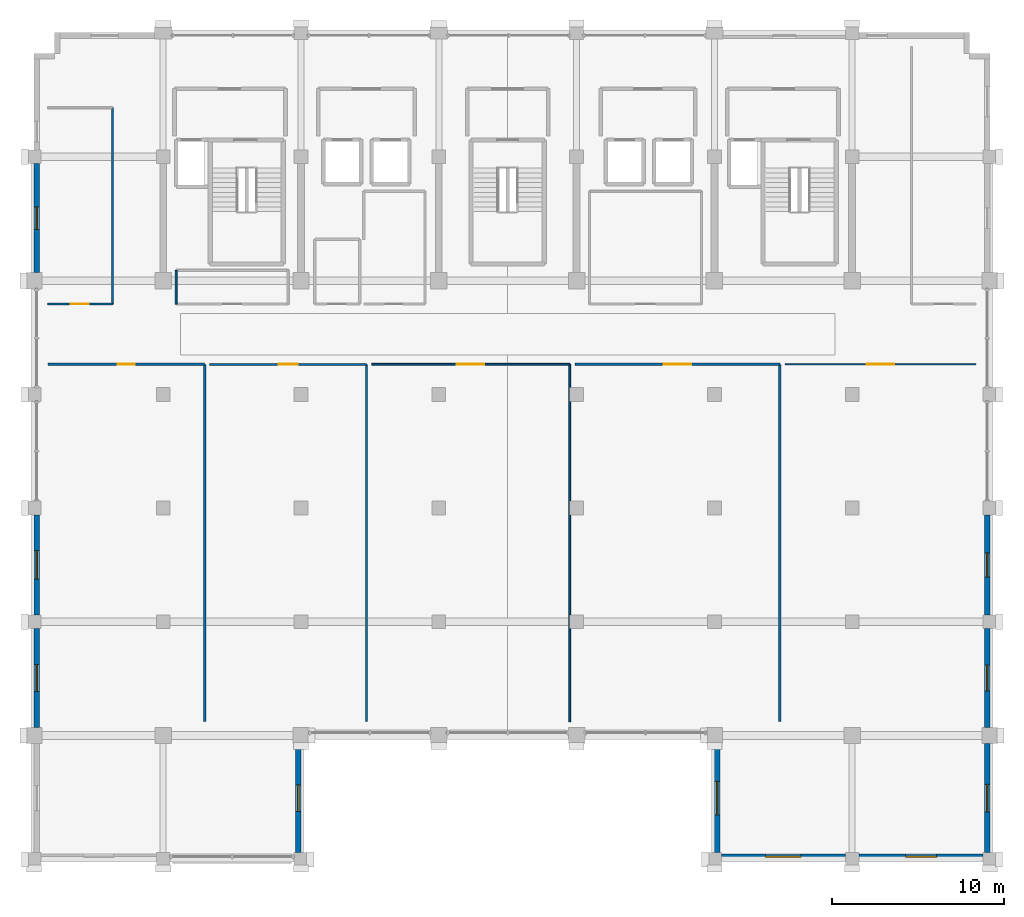
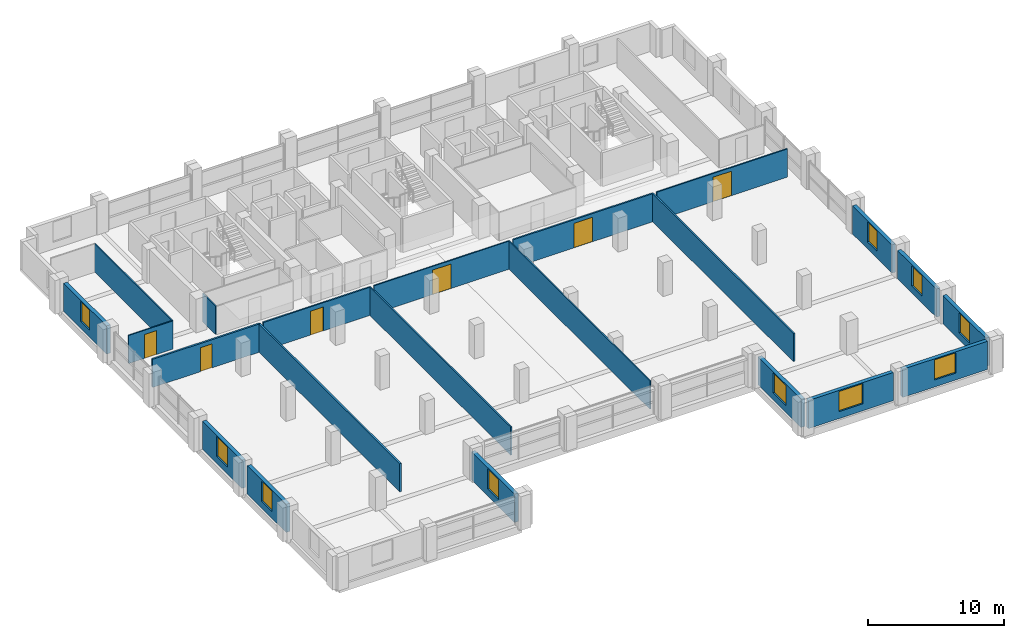
# One storey, part 19 of 23: 22 walls, 10 windows, 6 doors, 16 openings.
"""IFC4 building model written with IfcOpenShell, lengths in metres."""

from ifc_helpers import new_model, si_unit, direction, frame, frame_2d, origin, place, context, subcontext, project, spatial, rectangle, extrude, material, layer, layer_set, type_object, element, fill, save


model = new_model("IFC4")

# Units and contexts
model_context = context("Model", 3, precision=1e-05, world=origin(), true_north=direction((0.0, 1.0)))
body_context = subcontext(model_context, "Body", "Model", "MODEL_VIEW")
ifc_project = project(units=[si_unit("LENGTHUNIT", "METRE"), si_unit("AREAUNIT", "SQUARE_METRE"), si_unit("VOLUMEUNIT", "CUBIC_METRE"), si_unit("PLANEANGLEUNIT", "RADIAN"), si_unit("MASSUNIT", "GRAM", prefix="KILO")], contexts=[model_context])

# Site, building, storey
site_placement = place(None, origin())
site = spatial("IfcSite", under=ifc_project, at=site_placement, CompositionType="ELEMENT")
building_placement = place(site_placement, origin())
building = spatial("IfcBuilding", under=site, at=building_placement, Name="Akrevak Sports Hall", CompositionType="ELEMENT")
storey_placement = place(building_placement, frame((0.0, 0.0, 43.800048828125)))
storey = spatial("IfcBuildingStorey", under=building, at=storey_placement, Name="L10", CompositionType="ELEMENT", Elevation=43.800048828125)

# Wall, opening, window
ifc_material_1 = material(Name="Limestone Ashlar", Category="stone")
ifc_layer_1 = layer(ifc_material_1, 0.070068359375, Name="Limestone Ashlar")
ifc_material_2 = material(Name="Mineral Wool Thermal Insulation", Category="insulation")
ifc_layer_2 = layer(ifc_material_2, 0.090087890625, Name="Mineral Wool Thermal Insulation")
ifc_material_3 = material(Name="Concrete C40/50", Category="concrete")
ifc_layer_3 = layer(ifc_material_3, 0.159912109375, Name="Concrete C40/50")
ifc_layer_set_1 = layer_set([ifc_layer_1, ifc_layer_2, ifc_layer_3], Name="Limestone Ashlar / Mineral Wool Thermal Insulation / Concrete C40/50")
wall_type_1 = type_object("IfcWallType", Name="ARC-WL-EXT-320", PredefinedType="SOLIDWALL", material=ifc_layer_set_1)
wall_1_placement = place(storey_placement, frame((67.840087890625, 22.0, 0.0), z_axis=(0.0, 0.0, 1.0), x_axis=(0.0, 1.0, 0.0)))
wall_1 = element("IfcWall", 1, at=wall_1_placement, inside=storey, type_object=wall_type_1, Name="Tower Stone Facade Wall L10-E03", PredefinedType="SOLIDWALL", context=body_context, shape_type="SweptSolid", body=[
    extrude(rectangle(XDim=6.324951171875, YDim=0.320068359375, at=frame_2d((3.16259765625, 0.0))), origin(), (0.0, 0.0, 1.0), 2.530029296875),
])
opening_1_placement = place(wall_1_placement, frame((2.387451171875, 0.0, 0.6201171875)))
opening_1 = element("IfcOpeningElement", 2, at=opening_1_placement, cuts=wall_1, Name="Opening WN-50", PredefinedType="OPENING", context=body_context, shape_type="SweptSolid", body=[
    extrude(rectangle(XDim=1.550048828125, YDim=1.81005859375, at=frame_2d((0.77490234375, 0.905029296875))), frame((0.0, 0.171875, 0.0), z_axis=(0.0, -1.0, 0.0), x_axis=(1.0, 0.0, 0.0)), (0.0, 0.0, 1.0), 0.343994140625),
])
ifc_material_4 = material(Name="Thermally Broken Bronze Frame & Double Low-E Glass", Category="glass")
window_type_1 = type_object("IfcWindowType", Name="ARC-WIN-SZ-1550x1810", PartitioningType="SINGLE_PANEL", PredefinedType="WINDOW", material=ifc_material_4)
window_1_placement = place(opening_1_placement, origin())
window_1 = element("IfcWindow", 3, at=window_1_placement, inside=storey, type_object=window_type_1, Name="Tower Window L10-E03", OverallHeight=1.81005859375, OverallWidth=1.550048828125, PartitioningType="SINGLE_PANEL", PredefinedType="WINDOW", context=body_context, shape_type="SweptSolid", body=[
    extrude(rectangle(XDim=1.550048828125, YDim=1.81005859375, at=frame_2d((0.77490234375, 0.905029296875))), frame((0.0, 0.030029296875, 0.0), z_axis=(0.0, -1.0, 0.0), x_axis=(1.0, 0.0, 0.0)), (0.0, 0.0, 1.0), 0.06005859375),
])
fill(opening_1, window_1)

wall_2_placement = place(storey_placement, frame((92.159912109375, 28.324951171875, 0.0), z_axis=(0.0, 0.0, 1.0), x_axis=(0.0, -1.0, 0.0)))
wall_2 = element("IfcWall", 4, at=wall_2_placement, inside=storey, type_object=wall_type_1, Name="Tower Stone Facade Wall L10-W07", PredefinedType="SOLIDWALL", context=body_context, shape_type="SweptSolid", body=[
    extrude(rectangle(XDim=6.324951171875, YDim=0.320068359375, at=frame_2d((3.16259765625, 0.0))), origin(), (0.0, 0.0, 1.0), 2.530029296875),
])
opening_2_placement = place(wall_2_placement, frame((2.1875, 0.0, 0.6201171875)))
opening_2 = element("IfcOpeningElement", 5, at=opening_2_placement, cuts=wall_2, Name="Opening WN-52", PredefinedType="OPENING", context=body_context, shape_type="SweptSolid", body=[
    extrude(rectangle(XDim=1.949951171875, YDim=1.81005859375, at=frame_2d((0.97509765625, 0.905029296875))), frame((0.0, 0.171875, 0.0), z_axis=(0.0, -1.0, 0.0), x_axis=(1.0, 0.0, 0.0)), (0.0, 0.0, 1.0), 0.343994140625),
])
window_type_2 = type_object("IfcWindowType", Name="ARC-WIN-SZ-1950x1810", PartitioningType="SINGLE_PANEL", PredefinedType="WINDOW", material=ifc_material_4)
window_2_placement = place(opening_2_placement, origin())
window_2 = element("IfcWindow", 6, at=window_2_placement, inside=storey, type_object=window_type_2, Name="Tower Window L10-W07", OverallHeight=1.81005859375, OverallWidth=1.949951171875, PartitioningType="SINGLE_PANEL", PredefinedType="WINDOW", context=body_context, shape_type="SweptSolid", body=[
    extrude(rectangle(XDim=1.949951171875, YDim=1.81005859375, at=frame_2d((0.97509765625, 0.905029296875))), frame((0.0, 0.030029296875, 0.0), z_axis=(0.0, -1.0, 0.0), x_axis=(1.0, 0.0, 0.0)), (0.0, 0.0, 1.0), 0.06005859375),
])
fill(opening_2, window_2)

wall_3_placement = place(storey_placement, frame((92.39990234375, 21.760009765625, 0.0), z_axis=(0.0, 0.0, 1.0), x_axis=(1.0, 0.0, 0.0)))
wall_3 = element("IfcWall", 7, at=wall_3_placement, inside=storey, type_object=wall_type_1, Name="Tower Stone Facade Wall L10-S08", PredefinedType="SOLIDWALL", context=body_context, shape_type="SweptSolid", body=[
    extrude(rectangle(XDim=7.2001953125, YDim=0.320068359375, at=frame_2d((3.60009765625, 0.0))), origin(), (0.0, 0.0, 1.0), 2.530029296875),
])
opening_3_placement = place(wall_3_placement, frame((2.574951171875, 0.0, 0.6201171875)))
opening_3 = element("IfcOpeningElement", 8, at=opening_3_placement, cuts=wall_3, Name="Opening WN-53", PredefinedType="OPENING", context=body_context, shape_type="SweptSolid", body=[
    extrude(rectangle(XDim=2.050048828125, YDim=1.81005859375, at=frame_2d((1.02490234375, 0.905029296875))), frame((0.0, 0.171875, 0.0), z_axis=(0.0, -1.0, 0.0), x_axis=(1.0, 0.0, 0.0)), (0.0, 0.0, 1.0), 0.343994140625),
])
window_type_3 = type_object("IfcWindowType", Name="ARC-WIN-SZ-2050x1810", PartitioningType="SINGLE_PANEL", PredefinedType="WINDOW", material=ifc_material_4)
window_3_placement = place(opening_3_placement, origin())
window_3 = element("IfcWindow", 9, at=window_3_placement, inside=storey, type_object=window_type_3, Name="Tower Window L10-S08", OverallHeight=1.81005859375, OverallWidth=2.050048828125, PartitioningType="SINGLE_PANEL", PredefinedType="WINDOW", context=body_context, shape_type="SweptSolid", body=[
    extrude(rectangle(XDim=2.050048828125, YDim=1.81005859375, at=frame_2d((1.02490234375, 0.905029296875))), frame((0.0, 0.030029296875, 0.0), z_axis=(0.0, -1.0, 0.0), x_axis=(1.0, 0.0, 0.0)), (0.0, 0.0, 1.0), 0.06005859375),
])
fill(opening_3, window_3)

wall_4_placement = place(storey_placement, frame((100.39990234375, 21.760009765625, 0.0), z_axis=(0.0, 0.0, 1.0), x_axis=(1.0, 0.0, 0.0)))
wall_4 = element("IfcWall", 10, at=wall_4_placement, inside=storey, type_object=wall_type_1, Name="Tower Stone Facade Wall L10-S09", PredefinedType="SOLIDWALL", context=body_context, shape_type="SweptSolid", body=[
    extrude(rectangle(XDim=7.2001953125, YDim=0.320068359375, at=frame_2d((3.60009765625, 0.0))), origin(), (0.0, 0.0, 1.0), 2.530029296875),
])
opening_4_placement = place(wall_4_placement, frame((2.699951171875, 0.0, 0.6201171875)))
opening_4 = element("IfcOpeningElement", 11, at=opening_4_placement, cuts=wall_4, Name="Opening WN-54", PredefinedType="OPENING", context=body_context, shape_type="SweptSolid", body=[
    extrude(rectangle(XDim=1.800048828125, YDim=1.81005859375, at=frame_2d((0.89990234375, 0.905029296875))), frame((0.0, 0.171875, 0.0), z_axis=(0.0, -1.0, 0.0), x_axis=(1.0, 0.0, 0.0)), (0.0, 0.0, 1.0), 0.343994140625),
])
window_type_4 = type_object("IfcWindowType", Name="ARC-WIN-SZ-1800x1810", PartitioningType="SINGLE_PANEL", PredefinedType="WINDOW", material=ifc_material_4)
window_4_placement = place(opening_4_placement, origin())
window_4 = element("IfcWindow", 12, at=window_4_placement, inside=storey, type_object=window_type_4, Name="Tower Window L10-S09", OverallHeight=1.81005859375, OverallWidth=1.800048828125, PartitioningType="SINGLE_PANEL", PredefinedType="WINDOW", context=body_context, shape_type="SweptSolid", body=[
    extrude(rectangle(XDim=1.800048828125, YDim=1.81005859375, at=frame_2d((0.89990234375, 0.905029296875))), frame((0.0, 0.030029296875, 0.0), z_axis=(0.0, -1.0, 0.0), x_axis=(1.0, 0.0, 0.0)), (0.0, 0.0, 1.0), 0.06005859375),
])
fill(opening_4, window_4)

wall_5_placement = place(storey_placement, frame((107.840087890625, 22.0, 0.0), z_axis=(0.0, 0.0, 1.0), x_axis=(0.0, 1.0, 0.0)))
wall_5 = element("IfcWall", 13, at=wall_5_placement, inside=storey, type_object=wall_type_1, Name="Tower Stone Facade Wall L10-E10", PredefinedType="SOLIDWALL", context=body_context, shape_type="SweptSolid", body=[
    extrude(rectangle(XDim=6.324951171875, YDim=0.320068359375, at=frame_2d((3.16259765625, 0.0))), origin(), (0.0, 0.0, 1.0), 2.530029296875),
])
opening_5_placement = place(wall_5_placement, frame((2.362548828125, 0.0, 0.6201171875)))
opening_5 = element("IfcOpeningElement", 14, at=opening_5_placement, cuts=wall_5, Name="Opening WN-57", PredefinedType="OPENING", context=body_context, shape_type="SweptSolid", body=[
    extrude(rectangle(XDim=1.60009765625, YDim=1.81005859375, at=frame_2d((0.800048828125, 0.905029296875))), frame((0.0, 0.171875, 0.0), z_axis=(0.0, -1.0, 0.0), x_axis=(1.0, 0.0, 0.0)), (0.0, 0.0, 1.0), 0.343994140625),
])
window_type_5 = type_object("IfcWindowType", Name="ARC-WIN-SZ-1600x1810", PartitioningType="SINGLE_PANEL", PredefinedType="WINDOW", material=ifc_material_4)
window_5_placement = place(opening_5_placement, origin())
window_5 = element("IfcWindow", 15, at=window_5_placement, inside=storey, type_object=window_type_5, Name="Tower Window L10-E10", OverallHeight=1.81005859375, OverallWidth=1.60009765625, PartitioningType="SINGLE_PANEL", PredefinedType="WINDOW", context=body_context, shape_type="SweptSolid", body=[
    extrude(rectangle(XDim=1.60009765625, YDim=1.81005859375, at=frame_2d((0.800048828125, 0.905029296875))), frame((0.0, 0.030029296875, 0.0), z_axis=(0.0, -1.0, 0.0), x_axis=(1.0, 0.0, 0.0)), (0.0, 0.0, 1.0), 0.06005859375),
])
fill(opening_5, window_5)

wall_6_placement = place(storey_placement, frame((107.840087890625, 29.27490234375, 0.0), z_axis=(0.0, 0.0, 1.0), x_axis=(0.0, 1.0, 0.0)))
wall_6 = element("IfcWall", 16, at=wall_6_placement, inside=storey, type_object=wall_type_1, Name="Tower Stone Facade Wall L10-E11", PredefinedType="SOLIDWALL", context=body_context, shape_type="SweptSolid", body=[
    extrude(rectangle(XDim=5.72509765625, YDim=0.320068359375, at=frame_2d((2.862548828125, 0.0))), origin(), (0.0, 0.0, 1.0), 2.530029296875),
])
opening_6_placement = place(wall_6_placement, frame((2.112548828125, 0.0, 0.6201171875)))
opening_6 = element("IfcOpeningElement", 17, at=opening_6_placement, cuts=wall_6, Name="Opening WN-48", PredefinedType="OPENING", context=body_context, shape_type="SweptSolid", body=[
    extrude(rectangle(XDim=1.5, YDim=1.81005859375, at=frame_2d((0.75, 0.905029296875))), frame((0.0, 0.171875, 0.0), z_axis=(0.0, -1.0, 0.0), x_axis=(1.0, 0.0, 0.0)), (0.0, 0.0, 1.0), 0.343994140625),
])
window_type_6 = type_object("IfcWindowType", Name="ARC-WIN-SZ-1500x1810", PartitioningType="SINGLE_PANEL", PredefinedType="WINDOW", material=ifc_material_4)
window_6_placement = place(opening_6_placement, origin())
window_6 = element("IfcWindow", 18, at=window_6_placement, inside=storey, type_object=window_type_6, Name="Tower Window L10-E11", OverallHeight=1.81005859375, OverallWidth=1.5, PartitioningType="SINGLE_PANEL", PredefinedType="WINDOW", context=body_context, shape_type="SweptSolid", body=[
    extrude(rectangle(XDim=1.5, YDim=1.81005859375, at=frame_2d((0.75, 0.905029296875))), frame((0.0, 0.030029296875, 0.0), z_axis=(0.0, -1.0, 0.0), x_axis=(1.0, 0.0, 0.0)), (0.0, 0.0, 1.0), 0.06005859375),
])
fill(opening_6, window_6)

wall_7_placement = place(storey_placement, frame((107.840087890625, 35.800048828125, 0.0), z_axis=(0.0, 0.0, 1.0), x_axis=(0.0, 1.0, 0.0)))
wall_7 = element("IfcWall", 19, at=wall_7_placement, inside=storey, type_object=wall_type_1, Name="Tower Stone Facade Wall L10-E12", PredefinedType="SOLIDWALL", context=body_context, shape_type="SweptSolid", body=[
    extrude(rectangle(XDim=5.800048828125, YDim=0.320068359375, at=frame_2d((2.89990234375, 0.0))), origin(), (0.0, 0.0, 1.0), 2.530029296875),
])
opening_7_placement = place(wall_7_placement, frame((2.199951171875, 0.0, 0.6201171875)))
opening_7 = element("IfcOpeningElement", 20, at=opening_7_placement, cuts=wall_7, Name="Opening WN-49", PredefinedType="OPENING", context=body_context, shape_type="SweptSolid", body=[
    extrude(rectangle(XDim=1.39990234375, YDim=1.81005859375, at=frame_2d((0.699951171875, 0.905029296875))), frame((0.0, 0.171875, 0.0), z_axis=(0.0, -1.0, 0.0), x_axis=(1.0, 0.0, 0.0)), (0.0, 0.0, 1.0), 0.343994140625),
])
window_type_7 = type_object("IfcWindowType", Name="ARC-WIN-SZ-1400x1810", PartitioningType="SINGLE_PANEL", PredefinedType="WINDOW", material=ifc_material_4)
window_7_placement = place(opening_7_placement, origin())
window_7 = element("IfcWindow", 21, at=window_7_placement, inside=storey, type_object=window_type_7, Name="Tower Window L10-E12", OverallHeight=1.81005859375, OverallWidth=1.39990234375, PartitioningType="SINGLE_PANEL", PredefinedType="WINDOW", context=body_context, shape_type="SweptSolid", body=[
    extrude(rectangle(XDim=1.39990234375, YDim=1.81005859375, at=frame_2d((0.699951171875, 0.905029296875))), frame((0.0, 0.030029296875, 0.0), z_axis=(0.0, -1.0, 0.0), x_axis=(1.0, 0.0, 0.0)), (0.0, 0.0, 1.0), 0.06005859375),
])
fill(opening_7, window_7)

wall_8_placement = place(storey_placement, frame((52.659912109375, 62.0, 0.0), z_axis=(0.0, 0.0, 1.0), x_axis=(0.0, -1.0, 0.0)))
wall_8 = element("IfcWall", 22, at=wall_8_placement, inside=storey, type_object=wall_type_1, Name="Tower Stone Facade Wall L10-W29", PredefinedType="SOLIDWALL", context=body_context, shape_type="SweptSolid", body=[
    extrude(rectangle(XDim=6.324951171875, YDim=0.320068359375, at=frame_2d((3.16259765625, 0.0))), origin(), (0.0, 0.0, 1.0), 2.530029296875),
])
opening_8_placement = place(wall_8_placement, frame((2.512451171875, 0.0, 0.6201171875)))
opening_8 = element("IfcOpeningElement", 23, at=opening_8_placement, cuts=wall_8, Name="Opening WN-12", PredefinedType="OPENING", context=body_context, shape_type="SweptSolid", body=[
    extrude(rectangle(XDim=1.300048828125, YDim=1.800048828125, at=frame_2d((0.64990234375, 0.89990234375))), frame((0.0, 0.171875, 0.0), z_axis=(0.0, -1.0, 0.0), x_axis=(1.0, 0.0, 0.0)), (0.0, 0.0, 1.0), 0.343994140625),
])
window_type_8 = type_object("IfcWindowType", Name="ARC-WIN-TW-130x180", PartitioningType="SINGLE_PANEL", PredefinedType="WINDOW", material=ifc_material_4)
window_8_placement = place(opening_8_placement, origin())
window_8 = element("IfcWindow", 24, at=window_8_placement, inside=storey, type_object=window_type_8, Name="Tower Window L10-W29", OverallHeight=1.800048828125, OverallWidth=1.300048828125, PartitioningType="SINGLE_PANEL", PredefinedType="WINDOW", context=body_context, shape_type="SweptSolid", body=[
    extrude(rectangle(XDim=1.300048828125, YDim=1.800048828125, at=frame_2d((0.64990234375, 0.89990234375))), frame((0.0, 0.030029296875, 0.0), z_axis=(0.0, -1.0, 0.0), x_axis=(1.0, 0.0, 0.0)), (0.0, 0.0, 1.0), 0.06005859375),
])
fill(opening_8, window_8)

wall_9_placement = place(storey_placement, frame((52.659912109375, 41.60009765625, 0.0), z_axis=(0.0, 0.0, 1.0), x_axis=(0.0, -1.0, 0.0)))
wall_9 = element("IfcWall", 25, at=wall_9_placement, inside=storey, type_object=wall_type_1, Name="Tower Stone Facade Wall L10-W32", PredefinedType="SOLIDWALL", context=body_context, shape_type="SweptSolid", body=[
    extrude(rectangle(XDim=5.800048828125, YDim=0.320068359375, at=frame_2d((2.89990234375, 0.0))), origin(), (0.0, 0.0, 1.0), 2.530029296875),
])
opening_9_placement = place(wall_9_placement, frame((2.074951171875, 0.0, 0.6201171875)))
opening_9 = element("IfcOpeningElement", 26, at=opening_9_placement, cuts=wall_9, Name="Opening WN-58", PredefinedType="OPENING", context=body_context, shape_type="SweptSolid", body=[
    extrude(rectangle(XDim=1.64990234375, YDim=1.81005859375, at=frame_2d((0.824951171875, 0.905029296875))), frame((0.0, 0.171875, 0.0), z_axis=(0.0, -1.0, 0.0), x_axis=(1.0, 0.0, 0.0)), (0.0, 0.0, 1.0), 0.343994140625),
])
window_type_9 = type_object("IfcWindowType", Name="ARC-WIN-SZ-1650x1810", PartitioningType="SINGLE_PANEL", PredefinedType="WINDOW", material=ifc_material_4)
window_9_placement = place(opening_9_placement, origin())
window_9 = element("IfcWindow", 27, at=window_9_placement, inside=storey, type_object=window_type_9, Name="Tower Window L10-W32", OverallHeight=1.81005859375, OverallWidth=1.64990234375, PartitioningType="SINGLE_PANEL", PredefinedType="WINDOW", context=body_context, shape_type="SweptSolid", body=[
    extrude(rectangle(XDim=1.64990234375, YDim=1.81005859375, at=frame_2d((0.824951171875, 0.905029296875))), frame((0.0, 0.030029296875, 0.0), z_axis=(0.0, -1.0, 0.0), x_axis=(1.0, 0.0, 0.0)), (0.0, 0.0, 1.0), 0.06005859375),
])
fill(opening_9, window_9)

wall_10_placement = place(storey_placement, frame((52.659912109375, 35.0, 0.0), z_axis=(0.0, 0.0, 1.0), x_axis=(0.0, -1.0, 0.0)))
wall_10 = element("IfcWall", 28, at=wall_10_placement, inside=storey, type_object=wall_type_1, Name="Tower Stone Facade Wall L10-W33", PredefinedType="SOLIDWALL", context=body_context, shape_type="SweptSolid", body=[
    extrude(rectangle(XDim=5.72509765625, YDim=0.320068359375, at=frame_2d((2.862548828125, 0.0))), origin(), (0.0, 0.0, 1.0), 2.530029296875),
])
opening_10_placement = place(wall_10_placement, frame((2.08740234375, 0.0, 0.6201171875)))
opening_10 = element("IfcOpeningElement", 29, at=opening_10_placement, cuts=wall_10, Name="Opening WN-50", PredefinedType="OPENING", context=body_context, shape_type="SweptSolid", body=[
    extrude(rectangle(XDim=1.550048828125, YDim=1.81005859375, at=frame_2d((0.77490234375, 0.905029296875))), frame((0.0, 0.171875, 0.0), z_axis=(0.0, -1.0, 0.0), x_axis=(1.0, 0.0, 0.0)), (0.0, 0.0, 1.0), 0.343994140625),
])
window_10_placement = place(opening_10_placement, origin())
window_10 = element("IfcWindow", 30, at=window_10_placement, inside=storey, type_object=window_type_1, Name="Tower Window L10-W33", OverallHeight=1.81005859375, OverallWidth=1.550048828125, PartitioningType="SINGLE_PANEL", PredefinedType="WINDOW", context=body_context, shape_type="SweptSolid", body=[
    extrude(rectangle(XDim=1.550048828125, YDim=1.81005859375, at=frame_2d((0.77490234375, 0.905029296875))), frame((0.0, 0.030029296875, 0.0), z_axis=(0.0, -1.0, 0.0), x_axis=(1.0, 0.0, 0.0)), (0.0, 0.0, 1.0), 0.06005859375),
])
fill(opening_10, window_10)

# Wall, opening, door
ifc_material_5 = material(Name="Sanitary Cubicle Partition", Category="gypsum")
ifc_layer_4 = layer(ifc_material_5, 0.10009765625, Name="Sanitary Cubicle Partition")
ifc_layer_set_2 = layer_set([ifc_layer_4], Name="Sanitary Cubicle Partition")
wall_type_2 = type_object("IfcWallType", Name="ARC-WL-PRT-100", PredefinedType="PARTITIONING", material=ifc_layer_set_2)
wall_11_placement = place(storey_placement, frame((72.10009765625, 50.35009765625, 0.0), z_axis=(0.0, 0.0, 1.0), x_axis=(1.0, 0.0, 0.0)))
wall_11 = element("IfcWall", 31, at=wall_11_placement, inside=storey, type_object=wall_type_2, Name="Interior Partition Athletic Performance Analytics Hall (L10) (N)", PredefinedType="PARTITIONING", context=body_context, shape_type="SweptSolid", body=[
    extrude(rectangle(XDim=11.5, YDim=0.10009765625, at=frame_2d((5.75, 0.0))), origin(), (0.0, 0.0, 1.0), 2.530029296875),
])
opening_11_placement = place(wall_11_placement, frame((4.949951171875, 0.0, 0.0)))
opening_11 = element("IfcOpeningElement", 32, at=opening_11_placement, cuts=wall_11, Name="Opening ID-03", PredefinedType="OPENING", context=body_context, shape_type="SweptSolid", body=[
    extrude(rectangle(XDim=1.60009765625, YDim=2.199951171875, at=frame_2d((0.800048828125, 1.10009765625))), frame((0.0, 0.06201171875, 0.0), z_axis=(0.0, -1.0, 0.0), x_axis=(1.0, 0.0, 0.0)), (0.0, 0.0, 1.0), 0.1240234375),
])
ifc_material_6 = material(Name="Hardwood Oak & Safety Glass", Category="wood")
door_type_1 = type_object("IfcDoorType", Name="ARC-DR-HALL-160x220", OperationType="DOUBLE_DOOR_SINGLE_SWING", PredefinedType="DOOR", material=ifc_material_6)
door_1_placement = place(opening_11_placement, origin())
door_1 = element("IfcDoor", 33, at=door_1_placement, inside=storey, type_object=door_type_1, Name="Door to Athletic Performance Analytics Hall (L10)", OperationType="DOUBLE_DOOR_SINGLE_SWING", OverallHeight=2.199951171875, OverallWidth=1.60009765625, PredefinedType="DOOR", context=body_context, shape_type="SweptSolid", body=[
    extrude(rectangle(XDim=1.60009765625, YDim=2.199951171875, at=frame_2d((0.800048828125, 1.10009765625))), frame((0.0, 0.02490234375, 0.0), z_axis=(0.0, -1.0, 0.0), x_axis=(1.0, 0.0, 0.0)), (0.0, 0.0, 1.0), 0.050048828125),
])
fill(opening_11, door_1)

# Wall
wall_12_placement = place(storey_placement, frame((83.60009765625, 29.60009765625, 0.0), z_axis=(0.0, 0.0, 1.0), x_axis=(0.0, 1.0, 0.0)))
element("IfcWall", 34, at=wall_12_placement, inside=storey, type_object=wall_type_2, Name="Interior Partition Athletic Performance Analytics Hall (L10) (E)", PredefinedType="PARTITIONING", context=body_context, shape_type="SweptSolid", body=[
    extrude(rectangle(XDim=20.75, YDim=0.10009765625, at=frame_2d((10.375, 0.0))), origin(), (0.0, 0.0, 1.0), 2.530029296875),
])

# Wall, opening, door
wall_13_placement = place(storey_placement, frame((53.300048828125, 53.85009765625, 0.0), z_axis=(0.0, 0.0, 1.0), x_axis=(1.0, 0.0, 0.0)))
wall_13 = element("IfcWall", 35, at=wall_13_placement, inside=storey, type_object=wall_type_2, Name="Interior Partition Federation Research Office L10-W1 (S)", PredefinedType="PARTITIONING", context=body_context, shape_type="SweptSolid", body=[
    extrude(rectangle(XDim=3.75, YDim=0.10009765625, at=frame_2d((1.875, 0.0))), origin(), (0.0, 0.0, 1.0), 2.530029296875),
])
opening_12_placement = place(wall_13_placement, frame((1.324951171875, 0.0, 0.0)))
opening_12 = element("IfcOpeningElement", 36, at=opening_12_placement, cuts=wall_13, Name="Opening ID-05", PredefinedType="OPENING", context=body_context, shape_type="SweptSolid", body=[
    extrude(rectangle(XDim=1.050048828125, YDim=2.14990234375, at=frame_2d((0.52490234375, 1.074951171875))), frame((0.0, 0.06201171875, 0.0), z_axis=(0.0, -1.0, 0.0), x_axis=(1.0, 0.0, 0.0)), (0.0, 0.0, 1.0), 0.1240234375),
])
ifc_material_7 = material(Name="Hardwood Oak Acoustic Leaf", Category="wood")
door_type_2 = type_object("IfcDoorType", Name="ARC-DR-OFF-105x215", OperationType="NOTDEFINED", PredefinedType="DOOR", material=ifc_material_7)
door_2_placement = place(opening_12_placement, frame((1.050048828125, 0.0, 0.0), z_axis=(0.0, 0.0, 1.0), x_axis=(-1.0, 0.0, 0.0)))
door_2 = element("IfcDoor", 37, at=door_2_placement, inside=storey, type_object=door_type_2, Name="Door to Federation Research Office L10-W1", OperationType="SINGLE_SWING_RIGHT", OverallHeight=2.14990234375, OverallWidth=1.050048828125, PredefinedType="DOOR", context=body_context, shape_type="SweptSolid", body=[
    extrude(rectangle(XDim=1.050048828125, YDim=2.14990234375, at=frame_2d((0.52490234375, 1.074951171875))), frame((0.0, 0.02490234375, 0.0), z_axis=(0.0, -1.0, 0.0), x_axis=(1.0, 0.0, 0.0)), (0.0, 0.0, 1.0), 0.050048828125),
])
fill(opening_12, door_2)

# Wall
wall_14_placement = place(storey_placement, frame((57.050048828125, 53.85009765625, 0.0), z_axis=(0.0, 0.0, 1.0), x_axis=(0.0, 1.0, 0.0)))
element("IfcWall", 38, at=wall_14_placement, inside=storey, type_object=wall_type_2, Name="Interior Partition Federation Research Office L10-W1 (E)", PredefinedType="PARTITIONING", context=body_context, shape_type="SweptSolid", body=[
    extrude(rectangle(XDim=11.39990234375, YDim=0.10009765625, at=frame_2d((5.699951171875, 0.0))), origin(), (0.0, 0.0, 1.0), 2.530029296875),
])

# Wall, opening, door
ifc_material_8 = material(Name="Lightweight Office Partition", Category="gypsum")
ifc_layer_5 = layer(ifc_material_8, 0.110107421875, Name="Lightweight Office Partition")
ifc_layer_set_3 = layer_set([ifc_layer_5], Name="Lightweight Office Partition")
wall_type_3 = type_object("IfcWallType", Name="ARC-WL-PRT-110", PredefinedType="PARTITIONING", material=ifc_layer_set_3)
wall_15_placement = place(storey_placement, frame((96.10009765625, 50.35009765625, 0.0), z_axis=(0.0, 0.0, 1.0), x_axis=(1.0, 0.0, 0.0)))
wall_15 = element("IfcWall", 39, at=wall_15_placement, inside=storey, type_object=wall_type_3, Name="Interior Partition Federation Seminar Room (L10) (N)", PredefinedType="PARTITIONING", context=body_context, shape_type="SweptSolid", body=[
    extrude(rectangle(XDim=11.099853515625, YDim=0.110107421875, at=frame_2d((5.5498046875, 0.0))), origin(), (0.0, 0.0, 1.0), 2.530029296875),
])
opening_13_placement = place(wall_15_placement, frame((4.75, 0.0, 0.0)))
opening_13 = element("IfcOpeningElement", 40, at=opening_13_placement, cuts=wall_15, Name="Opening ID-03", PredefinedType="OPENING", context=body_context, shape_type="SweptSolid", body=[
    extrude(rectangle(XDim=1.60009765625, YDim=2.199951171875, at=frame_2d((0.800048828125, 1.10009765625))), frame((0.0, 0.06689453125, 0.0), z_axis=(0.0, -1.0, 0.0), x_axis=(1.0, 0.0, 0.0)), (0.0, 0.0, 1.0), 0.134033203125),
])
door_3_placement = place(opening_13_placement, origin())
door_3 = element("IfcDoor", 41, at=door_3_placement, inside=storey, type_object=door_type_1, Name="Door to Federation Seminar Room (L10)", OperationType="DOUBLE_DOOR_SINGLE_SWING", OverallHeight=2.199951171875, OverallWidth=1.60009765625, PredefinedType="DOOR", context=body_context, shape_type="SweptSolid", body=[
    extrude(rectangle(XDim=1.60009765625, YDim=2.199951171875, at=frame_2d((0.800048828125, 1.10009765625))), frame((0.0, 0.02490234375, 0.0), z_axis=(0.0, -1.0, 0.0), x_axis=(1.0, 0.0, 0.0)), (0.0, 0.0, 1.0), 0.050048828125),
])
fill(opening_13, door_3)

# Wall
wall_16_placement = place(storey_placement, frame((60.75, 53.85009765625, 0.0), z_axis=(0.0, 0.0, 1.0), x_axis=(0.0, 1.0, 0.0)))
element("IfcWall", 42, at=wall_16_placement, inside=storey, type_object=wall_type_3, Name="Interior Partition Federation Technical Office L10-CW (W)", PredefinedType="PARTITIONING", context=body_context, shape_type="SweptSolid", body=[
    extrude(rectangle(XDim=1.949951171875, YDim=0.110107421875, at=frame_2d((0.97509765625, 0.0))), origin(), (0.0, 0.0, 1.0), 2.530029296875),
])

# Wall, opening, door
ifc_material_9 = material(Name="Standard Metal Stud Partition", Category="gypsum")
ifc_layer_6 = layer(ifc_material_9, 0.1201171875, Name="Standard Metal Stud Partition")
ifc_layer_set_4 = layer_set([ifc_layer_6], Name="Standard Metal Stud Partition")
wall_type_4 = type_object("IfcWallType", Name="ARC-WL-PRT-120", PredefinedType="PARTITIONING", material=ifc_layer_set_4)
wall_17_placement = place(storey_placement, frame((62.699951171875, 50.35009765625, 0.0), z_axis=(0.0, 0.0, 1.0), x_axis=(1.0, 0.0, 0.0)))
wall_17 = element("IfcWall", 43, at=wall_17_placement, inside=storey, type_object=wall_type_4, Name="Interior Partition Biomechanics Testing Studio (L10) (N)", PredefinedType="PARTITIONING", context=body_context, shape_type="SweptSolid", body=[
    extrude(rectangle(XDim=9.10009765625, YDim=0.1201171875, at=frame_2d((4.550048828125, 0.0))), origin(), (0.0, 0.0, 1.0), 2.530029296875),
])
opening_14_placement = place(wall_17_placement, frame((4.0, 0.0, 0.0)))
opening_14 = element("IfcOpeningElement", 44, at=opening_14_placement, cuts=wall_17, Name="Opening ID-04", PredefinedType="OPENING", context=body_context, shape_type="SweptSolid", body=[
    extrude(rectangle(XDim=1.10009765625, YDim=2.14990234375, at=frame_2d((0.550048828125, 1.074951171875))), frame((0.0, 0.072021484375, 0.0), z_axis=(0.0, -1.0, 0.0), x_axis=(1.0, 0.0, 0.0)), (0.0, 0.0, 1.0), 0.14404296875),
])
door_type_3 = type_object("IfcDoorType", Name="ARC-DR-OFF-110x215", OperationType="NOTDEFINED", PredefinedType="DOOR", material=ifc_material_7)
door_4_placement = place(opening_14_placement, origin())
door_4 = element("IfcDoor", 45, at=door_4_placement, inside=storey, type_object=door_type_3, Name="Door to Biomechanics Testing Studio (L10)", OperationType="SINGLE_SWING_LEFT", OverallHeight=2.14990234375, OverallWidth=1.10009765625, PredefinedType="DOOR", context=body_context, shape_type="SweptSolid", body=[
    extrude(rectangle(XDim=1.10009765625, YDim=2.14990234375, at=frame_2d((0.550048828125, 1.074951171875))), frame((0.0, 0.02490234375, 0.0), z_axis=(0.0, -1.0, 0.0), x_axis=(1.0, 0.0, 0.0)), (0.0, 0.0, 1.0), 0.050048828125),
])
fill(opening_14, door_4)

# Wall
wall_18_placement = place(storey_placement, frame((71.800048828125, 29.60009765625, 0.0), z_axis=(0.0, 0.0, 1.0), x_axis=(0.0, 1.0, 0.0)))
element("IfcWall", 46, at=wall_18_placement, inside=storey, type_object=wall_type_4, Name="Interior Partition Biomechanics Testing Studio (L10) (E)", PredefinedType="PARTITIONING", context=body_context, shape_type="SweptSolid", body=[
    extrude(rectangle(XDim=20.75, YDim=0.1201171875, at=frame_2d((10.375, 0.0))), origin(), (0.0, 0.0, 1.0), 2.530029296875),
])

# Wall, opening, door
ifc_material_10 = material(Name="Acoustic Metal Stud Partition", Category="gypsum")
ifc_layer_7 = layer(ifc_material_10, 0.1298828125, Name="Acoustic Metal Stud Partition")
ifc_layer_set_5 = layer_set([ifc_layer_7], Name="Acoustic Metal Stud Partition")
wall_type_5 = type_object("IfcWallType", Name="ARC-WL-PRT-130", PredefinedType="PARTITIONING", material=ifc_layer_set_5)
wall_19_placement = place(storey_placement, frame((83.89990234375, 50.35009765625, 0.0), z_axis=(0.0, 0.0, 1.0), x_axis=(1.0, 0.0, 0.0)))
wall_19 = element("IfcWall", 47, at=wall_19_placement, inside=storey, type_object=wall_type_5, Name="Interior Partition National Climbing Federation Office (L10) (N)", PredefinedType="PARTITIONING", context=body_context, shape_type="SweptSolid", body=[
    extrude(rectangle(XDim=11.900146484375, YDim=0.1298828125, at=frame_2d((5.9501953125, 0.0))), origin(), (0.0, 0.0, 1.0), 2.530029296875),
])
opening_15_placement = place(wall_19_placement, frame((5.14990234375, 0.0, 0.0)))
opening_15 = element("IfcOpeningElement", 48, at=opening_15_placement, cuts=wall_19, Name="Opening ID-03", PredefinedType="OPENING", context=body_context, shape_type="SweptSolid", body=[
    extrude(rectangle(XDim=1.60009765625, YDim=2.199951171875, at=frame_2d((0.800048828125, 1.10009765625))), frame((0.0, 0.076904296875, 0.0), z_axis=(0.0, -1.0, 0.0), x_axis=(1.0, 0.0, 0.0)), (0.0, 0.0, 1.0), 0.15380859375),
])
door_5_placement = place(opening_15_placement, origin())
door_5 = element("IfcDoor", 49, at=door_5_placement, inside=storey, type_object=door_type_1, Name="Door to National Climbing Federation Office (L10)", OperationType="DOUBLE_DOOR_SINGLE_SWING", OverallHeight=2.199951171875, OverallWidth=1.60009765625, PredefinedType="DOOR", context=body_context, shape_type="SweptSolid", body=[
    extrude(rectangle(XDim=1.60009765625, YDim=2.199951171875, at=frame_2d((0.800048828125, 1.10009765625))), frame((0.0, 0.02490234375, 0.0), z_axis=(0.0, -1.0, 0.0), x_axis=(1.0, 0.0, 0.0)), (0.0, 0.0, 1.0), 0.050048828125),
])
fill(opening_15, door_5)

# Wall
wall_20_placement = place(storey_placement, frame((95.800048828125, 29.60009765625, 0.0), z_axis=(0.0, 0.0, 1.0), x_axis=(0.0, 1.0, 0.0)))
element("IfcWall", 50, at=wall_20_placement, inside=storey, type_object=wall_type_5, Name="Interior Partition National Climbing Federation Office (L10) (E)", PredefinedType="PARTITIONING", context=body_context, shape_type="SweptSolid", body=[
    extrude(rectangle(XDim=20.75, YDim=0.1298828125, at=frame_2d((10.375, 0.0))), origin(), (0.0, 0.0, 1.0), 2.530029296875),
])

# Wall, opening, door
ifc_material_11 = material(Name="Double Stud Acoustic Gypsum Partition", Category="gypsum")
ifc_layer_8 = layer(ifc_material_11, 0.14990234375, Name="Double Stud Acoustic Gypsum Partition")
ifc_layer_set_6 = layer_set([ifc_layer_8], Name="Double Stud Acoustic Gypsum Partition")
wall_type_6 = type_object("IfcWallType", Name="ARC-WL-PRT-150", PredefinedType="PARTITIONING", material=ifc_layer_set_6)
wall_21_placement = place(storey_placement, frame((53.300048828125, 50.35009765625, 0.0), z_axis=(0.0, 0.0, 1.0), x_axis=(1.0, 0.0, 0.0)))
wall_21 = element("IfcWall", 51, at=wall_21_placement, inside=storey, type_object=wall_type_6, Name="Interior Partition Anti-Doping Laboratory Reception (L10) (N)", PredefinedType="PARTITIONING", context=body_context, shape_type="SweptSolid", body=[
    extrude(rectangle(XDim=9.099853515625, YDim=0.14990234375, at=frame_2d((4.5498046875, 0.0))), origin(), (0.0, 0.0, 1.0), 2.530029296875),
])
opening_16_placement = place(wall_21_placement, frame((4.050048828125, 0.0, 0.0)))
opening_16 = element("IfcOpeningElement", 52, at=opening_16_placement, cuts=wall_21, Name="Opening ID-06", PredefinedType="OPENING", context=body_context, shape_type="SweptSolid", body=[
    extrude(rectangle(XDim=1.0, YDim=2.14990234375, at=frame_2d((0.5, 1.074951171875))), frame((0.0, 0.0869140625, 0.0), z_axis=(0.0, -1.0, 0.0), x_axis=(1.0, 0.0, 0.0)), (0.0, 0.0, 1.0), 0.173828125),
])
door_type_4 = type_object("IfcDoorType", Name="ARC-DR-OFF-100x215", OperationType="NOTDEFINED", PredefinedType="DOOR", material=ifc_material_7)
door_6_placement = place(opening_16_placement, frame((1.0, 0.0, 0.0), z_axis=(0.0, 0.0, 1.0), x_axis=(-1.0, 0.0, 0.0)))
door_6 = element("IfcDoor", 53, at=door_6_placement, inside=storey, type_object=door_type_4, Name="Door to Anti-Doping Laboratory Reception (L10)", OperationType="SINGLE_SWING_RIGHT", OverallHeight=2.14990234375, OverallWidth=1.0, PredefinedType="DOOR", context=body_context, shape_type="SweptSolid", body=[
    extrude(rectangle(XDim=1.0, YDim=2.14990234375, at=frame_2d((0.5, 1.074951171875))), frame((0.0, 0.02490234375, 0.0), z_axis=(0.0, -1.0, 0.0), x_axis=(1.0, 0.0, 0.0)), (0.0, 0.0, 1.0), 0.050048828125),
])
fill(opening_16, door_6)

# Wall
wall_22_placement = place(storey_placement, frame((62.39990234375, 29.60009765625, 0.0), z_axis=(0.0, 0.0, 1.0), x_axis=(0.0, 1.0, 0.0)))
element("IfcWall", 54, at=wall_22_placement, inside=storey, type_object=wall_type_6, Name="Interior Partition Anti-Doping Laboratory Reception (L10) (E)", PredefinedType="PARTITIONING", context=body_context, shape_type="SweptSolid", body=[
    extrude(rectangle(XDim=20.75, YDim=0.14990234375, at=frame_2d((10.375, 0.0))), origin(), (0.0, 0.0, 1.0), 2.530029296875),
])

save(model, "model.ifc")
